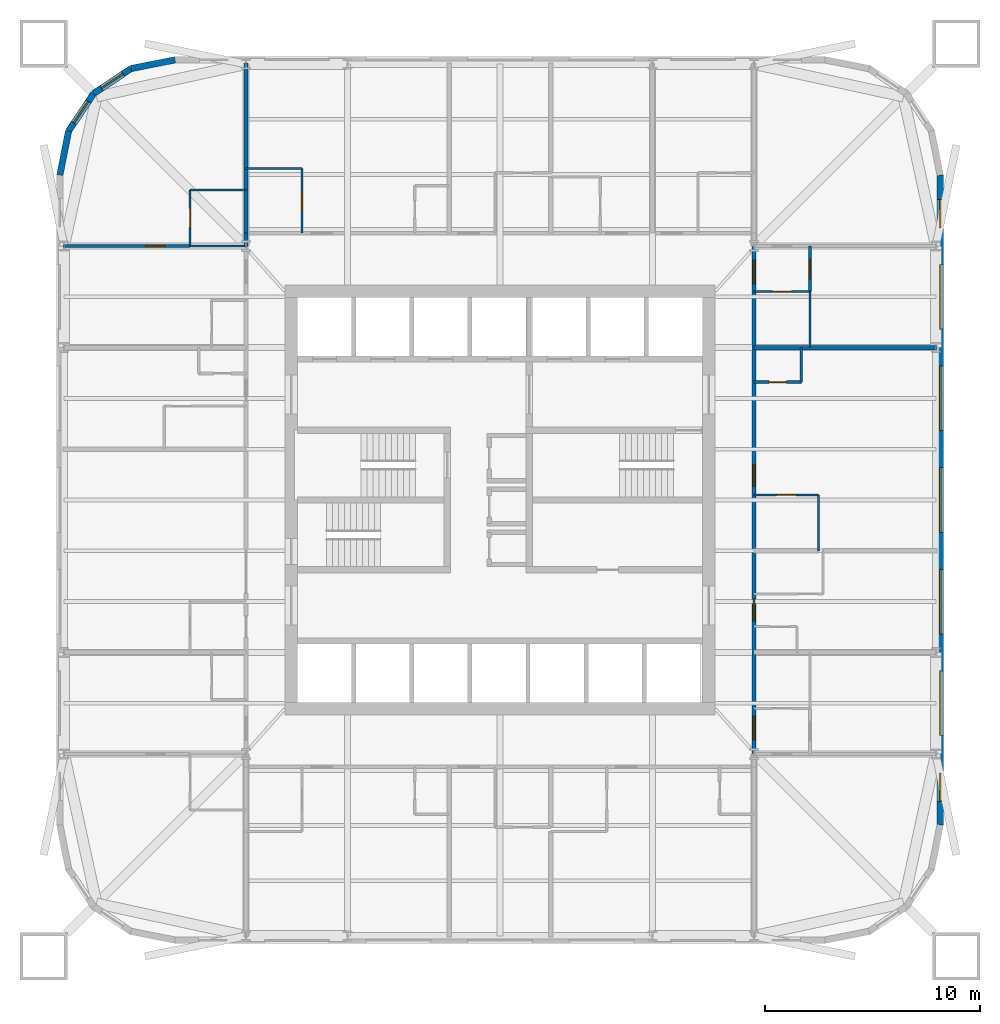
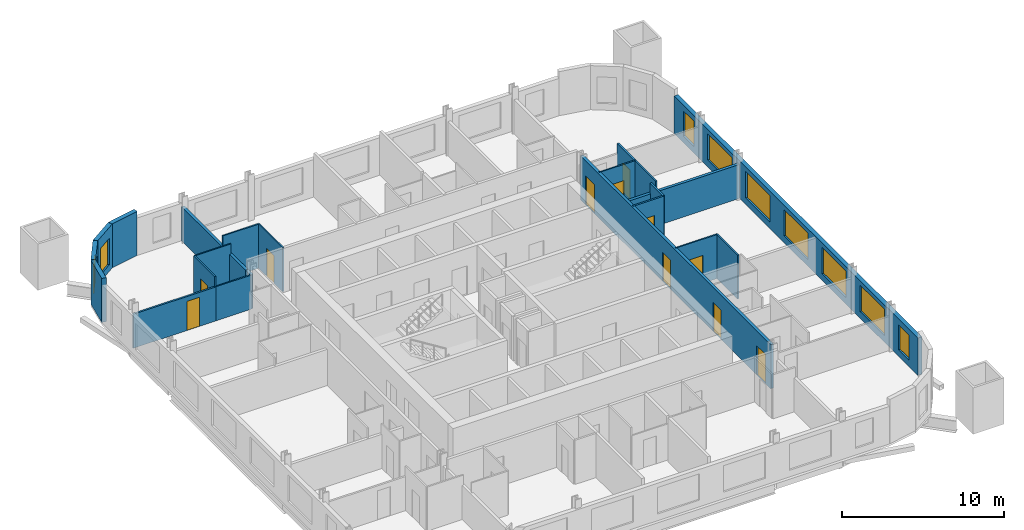
# One storey, part 6 of 9: 22 walls, 11 doors, 9 windows, 20 openings.
"""IFC4 building model written with IfcOpenShell, lengths in metres."""

import ifcopenshell
import ifcopenshell.guid

model = None  # the IFC model being written
_history = None  # IfcOwnerHistory: only IFC2X3 demands one
_inside = {}  # id of a spatial element -> (the spatial element, [elements in it])
_under = {}  # id of a project, library or spatial element -> (it, [spatial elements below it])
_declared = {}  # id of a project -> (the project, [libraries it declares])
_typed = {}  # id of a type object -> (the type object, [elements of that type])
_made_of = {}  # id of a material, layer set ... -> (it, [elements and type objects made of it])


def new_model(schema):
    """Start an empty IFC model of exactly this schema.

    Asked for "IFC4X3", IfcOpenShell would pick the latest addendum, in which some entities
    have other attributes; the version numbers below select the first issue.
    IFC2X3 requires an IfcOwnerHistory on every rooted entity: one is made here for all.
    """
    global model, _history
    if schema == "IFC4X3":
        model = ifcopenshell.file(schema_version=(4, 3, 0, 0))
    else:
        model = ifcopenshell.file(schema=schema)
    _inside.clear()
    _under.clear()
    _declared.clear()
    _typed.clear()
    _made_of.clear()
    _history = None
    if model.schema == "IFC2X3":
        org = make("IfcOrganization", Name="unknown")
        user = make(
            "IfcPersonAndOrganization",
            ThePerson=make("IfcPerson", FamilyName="unknown"),
            TheOrganization=org,
        )
        app = make(
            "IfcApplication",
            ApplicationDeveloper=org,
            Version="unknown",
            ApplicationFullName="unknown",
            ApplicationIdentifier="unknown",
        )
        _history = make(
            "IfcOwnerHistory",
            OwningUser=user,
            OwningApplication=app,
            ChangeAction="ADDED",
            CreationDate=0,
        )
    return model


def make(cls, **values):
    """One entity of the class cls with the attributes given. An attribute that is None is left unset."""
    return model.create_entity(
        cls, **{name: value for name, value in values.items() if value is not None}
    )


def rooted(cls, **values):
    """An entity with a GlobalId (a new one), such as an element, a storey or a relation."""
    return make(cls, GlobalId=ifcopenshell.guid.new(), OwnerHistory=_history, **values)


def si_unit(unit_type, name, prefix=None):
    """IfcSIUnit, for example si_unit("LENGTHUNIT", "METRE", prefix="MILLI")."""
    return make("IfcSIUnit", UnitType=unit_type, Prefix=prefix, Name=name)


def assignment(units):
    """IfcUnitAssignment: the units of a project."""
    return None if units is None else make("IfcUnitAssignment", Units=units)


def point(xyz):
    """IfcCartesianPoint."""
    return None if xyz is None else make("IfcCartesianPoint", Coordinates=xyz)


def direction(xyz):
    """IfcDirection."""
    return None if xyz is None else make("IfcDirection", DirectionRatios=xyz)


def frame(location, z_axis=None, x_axis=None):
    """IfcAxis2Placement3D, a coordinate frame: its origin and axes. An axis left out is left unset."""
    return make(
        "IfcAxis2Placement3D",
        Location=point(location),
        Axis=direction(z_axis),
        RefDirection=direction(x_axis),
    )


def frame_2d(location, x_axis=None):
    """IfcAxis2Placement2D, a coordinate frame in the plane: its origin and x axis."""
    return make(
        "IfcAxis2Placement2D", Location=point(location), RefDirection=direction(x_axis)
    )


def origin():
    """The frame at (0, 0, 0) with its axes left unset."""
    return frame((0.0, 0.0, 0.0))


def place(relative_to, where):
    """IfcLocalPlacement: puts the frame where relative to a parent placement (None: the world)."""
    return make(
        "IfcLocalPlacement", PlacementRelTo=relative_to, RelativePlacement=where
    )


def context(
    kind, dimensions, precision=None, world=None, true_north=None, identifier=None
):
    """IfcGeometricRepresentationContext, for example the 3D "Model" context."""
    return make(
        "IfcGeometricRepresentationContext",
        ContextIdentifier=identifier,
        ContextType=kind,
        CoordinateSpaceDimension=dimensions,
        Precision=precision,
        WorldCoordinateSystem=world,
        TrueNorth=true_north,
    )


def subcontext(parent, identifier, kind, view, scale=None):
    """IfcGeometricRepresentationSubContext, for example "Body" below "Model"."""
    return make(
        "IfcGeometricRepresentationSubContext",
        ContextIdentifier=identifier,
        ContextType=kind,
        ParentContext=parent,
        TargetScale=scale,
        TargetView=view,
    )


def project(units=None, contexts=None):
    """IfcProject with its units and contexts."""
    return rooted(
        "IfcProject",
        Name="project",
        RepresentationContexts=contexts,
        UnitsInContext=assignment(units),
    )


def spatial(cls, under=None, at=None, **own):
    """A site, building, storey or space (cls), placed at a placement, below another one or the project."""
    s = rooted(cls, ObjectPlacement=at, **own)
    if under is not None:
        _under.setdefault(under.id(), (under, []))[1].append(s)
    return s


def profile(cls, at=None, kind="AREA", **sizes):
    """A parametric profile (cls). Its sizes go by their IFC names, for example OverallWidth=200.0."""
    return make(cls, ProfileType=kind, Position=at, **sizes)


def rectangle(**sizes):
    """IfcRectangleProfileDef."""
    return profile("IfcRectangleProfileDef", **sizes)


def extrude(swept, where, along, depth):
    """IfcExtrudedAreaSolid: the profile swept, set in the frame where, extruded along a direction by depth."""
    return make(
        "IfcExtrudedAreaSolid",
        SweptArea=swept,
        Position=where,
        ExtrudedDirection=direction(along),
        Depth=depth,
    )


def shape(context_of_items, identifier, shape_type, items):
    """IfcShapeRepresentation: the items that make up one representation, for example the "Body"."""
    return make(
        "IfcShapeRepresentation",
        ContextOfItems=context_of_items,
        RepresentationIdentifier=identifier,
        RepresentationType=shape_type,
        Items=items,
    )


def material(Name=None, Category=None):
    """IfcMaterial."""
    return make("IfcMaterial", Name=Name, Category=Category)


def layer(
    of_material, thickness, ventilated=None, Name=None, Category=None, Priority=None
):
    """IfcMaterialLayer: one layer of a wall or slab, of a material (None: an air gap)."""
    return make(
        "IfcMaterialLayer",
        Material=of_material,
        LayerThickness=thickness,
        IsVentilated=ventilated,
        Name=Name,
        Category=Category,
        Priority=Priority,
    )


def layer_set(layers, Name=None):
    """IfcMaterialLayerSet."""
    return make("IfcMaterialLayerSet", MaterialLayers=layers, LayerSetName=Name)


def made_of(thing, what):
    """Note that an element or type object is made of a material, layer set ...; save() writes the relation."""
    if what is not None:
        _made_of.setdefault(what.id(), (what, []))[1].append(thing)
    return thing


def type_object(cls, material=None, **own):
    """A type object (cls), such as IfcWallType, which elements share."""
    return made_of(rooted(cls, **own), material)


def element(
    cls,
    number,
    at=None,
    inside=None,
    cuts=None,
    type_object=None,
    material=None,
    context=None,
    identifier="Body",
    shape_type=None,
    held_by="IfcProductDefinitionShape",
    body=None,
    shapes=None,
    **own,
):
    """One element of the class cls, such as IfcWall. Its Tag is "e" and its number.

    at: its placement. inside: the storey or other place that contains it. cuts: it is an
    opening in that element (IfcRelVoidsElement). A single representation is given by context,
    identifier, shape_type and body (its items); several are given by shapes. held_by: the class
    of the entity that holds the representations. save() writes the other relations.
    """
    e = rooted(cls, Tag="e%d" % number, ObjectPlacement=at, **own)
    if body is not None:
        shapes = [shape(context, identifier, shape_type, body)]
    if shapes is not None:
        e.Representation = make(held_by, Representations=shapes)
    if inside is not None:
        _inside.setdefault(inside.id(), (inside, []))[1].append(e)
    if cuts is not None:
        rooted(
            "IfcRelVoidsElement", RelatingBuildingElement=cuts, RelatedOpeningElement=e
        )
    if type_object is not None:
        _typed.setdefault(type_object.id(), (type_object, []))[1].append(e)
    return made_of(e, material)


def fill(opening, filler):
    """IfcRelFillsElement: the door or window that sits in an opening."""
    return rooted(
        "IfcRelFillsElement",
        RelatingOpeningElement=opening,
        RelatedBuildingElement=filler,
    )


def aggregate(whole, parts):
    """IfcRelAggregates: a whole, such as a stair, and the parts it consists of."""
    return rooted("IfcRelAggregates", RelatingObject=whole, RelatedObjects=parts)


def save(model, path):
    """Write the relations noted so far, then the file.

    IfcRelAggregates (storeys below a building ...), IfcRelContainedInSpatialStructure (elements
    in a storey), IfcRelDefinesByType, IfcRelAssociatesMaterial and IfcRelDeclares: one each for
    every whole, place, type object, material and project.
    """
    for whole, parts in _under.values():
        aggregate(whole, parts)
    for where, things in _inside.values():
        rooted(
            "IfcRelContainedInSpatialStructure",
            RelatedElements=things,
            RelatingStructure=where,
        )
    for kind, things in _typed.values():
        rooted("IfcRelDefinesByType", RelatedObjects=things, RelatingType=kind)
    for what, things in _made_of.values():
        rooted("IfcRelAssociatesMaterial", RelatedObjects=things, RelatingMaterial=what)
    for by, libraries in _declared.values():
        rooted("IfcRelDeclares", RelatingContext=by, RelatedDefinitions=libraries)
    model.write(path)


model = new_model("IFC4")

# Units and contexts
model_context = context("Model", 3, precision=1e-05, world=origin(), true_north=direction((0.0, 1.0)))
body_context = subcontext(model_context, "Body", "Model", "MODEL_VIEW")
ifc_project = project(units=[si_unit("LENGTHUNIT", "METRE"), si_unit("AREAUNIT", "SQUARE_METRE"), si_unit("VOLUMEUNIT", "CUBIC_METRE"), si_unit("PLANEANGLEUNIT", "RADIAN"), si_unit("MASSUNIT", "GRAM", prefix="KILO")], contexts=[model_context])

# Site, building, storey
site_placement = place(None, origin())
site = spatial("IfcSite", under=ifc_project, at=site_placement, CompositionType="ELEMENT")
building_placement = place(site_placement, origin())
building = spatial("IfcBuilding", under=site, at=building_placement, Name="Turquesa Mirador Hotel Tower", CompositionType="ELEMENT")
storey_placement = place(building_placement, frame((0.0, 0.0, 100.39990234375)))
storey = spatial("IfcBuildingStorey", under=building, at=storey_placement, Name="L26", CompositionType="ELEMENT", Elevation=100.39990234375)

# Wall, opening, door
ifc_material_1 = material(Name="Gypsum board on steel studs", Category="steel")
ifc_layer_1 = layer(ifc_material_1, 0.10009765625)
ifc_layer_set_1 = layer_set([ifc_layer_1], Name="BATHROOM WALL 100")
wall_type_1 = type_object("IfcWallType", Name="BATHROOM WALL 100", PredefinedType="PARTITIONING", material=ifc_layer_set_1)
wall_1_placement = place(storey_placement, frame((66.800048828125, 45.239990234375, 0.0), z_axis=(0.0, 0.0, 1.0), x_axis=(1.0, 0.0, 0.0)))
wall_1 = element("IfcWall", 1, at=wall_1_placement, inside=storey, type_object=wall_type_1, Name="Partition L26 020", PredefinedType="PARTITIONING", context=body_context, shape_type="SweptSolid", body=[
    extrude(rectangle(XDim=3.0, YDim=0.10009765625, at=frame_2d((1.5, 0.0))), origin(), (0.0, 0.0, 1.0), 3.330078125),
])
opening_1_placement = place(wall_1_placement, frame((1.050048828125, 0.0, 0.0)))
opening_1 = element("IfcOpeningElement", 2, at=opening_1_placement, cuts=wall_1, Name="Opening D02", PredefinedType="OPENING", context=body_context, shape_type="SweptSolid", body=[
    extrude(rectangle(XDim=0.89990234375, YDim=2.10009765625, at=frame_2d((0.449951171875, 1.050048828125))), frame((0.0, 0.06005859375, 0.0), z_axis=(0.0, -1.0, 0.0), x_axis=(1.0, 0.0, 0.0)), (0.0, 0.0, 1.0), 0.1201171875),
])
ifc_material_2 = material(Name="Timber veneered door", Category="wood")
door_type_1 = type_object("IfcDoorType", Name="DOOR 900X2100 EN-SUITE", OperationType="SINGLE_SWING_RIGHT", PredefinedType="DOOR", material=ifc_material_2)
door_1_placement = place(opening_1_placement, origin())
door_1 = element("IfcDoor", 3, at=door_1_placement, inside=storey, type_object=door_type_1, Name="Door 2609B", OperationType="SINGLE_SWING_RIGHT", OverallHeight=2.10009765625, OverallWidth=0.89990234375, PredefinedType="DOOR", context=body_context, shape_type="SweptSolid", body=[
    extrude(rectangle(XDim=0.89990234375, YDim=2.10009765625, at=frame_2d((0.449951171875, 1.050048828125))), frame((0.0, 0.02490234375, 0.0), z_axis=(0.0, -1.0, 0.0), x_axis=(1.0, 0.0, 0.0)), (0.0, 0.0, 1.0), 0.050048828125),
])
fill(opening_1, door_1)

# Walls
wall_2_placement = place(storey_placement, frame((40.60009765625, 56.800048828125, 0.0), z_axis=(0.0, 0.0, 1.0), x_axis=(1.0, 0.0, 0.0)))
element("IfcWall", 4, at=wall_2_placement, inside=storey, type_object=wall_type_1, Name="Partition L26 021", PredefinedType="PARTITIONING", context=body_context, shape_type="SweptSolid", body=[
    extrude(rectangle(XDim=2.599853515625, YDim=0.10009765625, at=frame_2d((1.2998046875, 0.0))), origin(), (0.0, 0.0, 1.0), 2.5732421875),
])
wall_3_placement = place(storey_placement, frame((40.60009765625, 59.39990234375, 0.0), z_axis=(0.0, 0.0, 1.0), x_axis=(1.0, 0.0, 0.0)))
element("IfcWall", 5, at=wall_3_placement, inside=storey, type_object=wall_type_1, Name="Partition L26 025", PredefinedType="PARTITIONING", context=body_context, shape_type="SweptSolid", body=[
    extrude(rectangle(XDim=2.599853515625, YDim=0.10009765625, at=frame_2d((1.2998046875, 0.0))), origin(), (0.0, 0.0, 1.0), 3.330078125),
])
wall_4_placement = place(storey_placement, frame((43.199951171875, 60.39990234375, 0.0), z_axis=(0.0, 0.0, 1.0), x_axis=(1.0, 0.0, 0.0)))
element("IfcWall", 6, at=wall_4_placement, inside=storey, type_object=wall_type_1, Name="Partition L26 030", PredefinedType="PARTITIONING", context=body_context, shape_type="SweptSolid", body=[
    extrude(rectangle(XDim=2.60009765625, YDim=0.10009765625, at=frame_2d((1.300048828125, 0.0))), origin(), (0.0, 0.0, 1.0), 3.330078125),
])

# Wall, opening, door
wall_5_placement = place(storey_placement, frame((66.800048828125, 54.679931640625, 0.0), z_axis=(0.0, 0.0, 1.0), x_axis=(1.0, 0.0, 0.0)))
wall_5 = element("IfcWall", 7, at=wall_5_placement, inside=storey, type_object=wall_type_1, Name="Partition L26 038", PredefinedType="PARTITIONING", context=body_context, shape_type="SweptSolid", body=[
    extrude(rectangle(XDim=2.599853515625, YDim=0.10009765625, at=frame_2d((1.2998046875, 0.0))), origin(), (0.0, 0.0, 1.0), 3.330078125),
])
opening_2_placement = place(wall_5_placement, frame((0.85009765625, 0.0, 0.0)))
opening_2 = element("IfcOpeningElement", 8, at=opening_2_placement, cuts=wall_5, Name="Opening D02", PredefinedType="OPENING", context=body_context, shape_type="SweptSolid", body=[
    extrude(rectangle(XDim=0.89990234375, YDim=2.10009765625, at=frame_2d((0.449951171875, 1.050048828125))), frame((0.0, 0.06005859375, 0.0), z_axis=(0.0, -1.0, 0.0), x_axis=(1.0, 0.0, 0.0)), (0.0, 0.0, 1.0), 0.1201171875),
])
door_2_placement = place(opening_2_placement, origin())
door_2 = element("IfcDoor", 9, at=door_2_placement, inside=storey, type_object=door_type_1, Name="Door 2611B", OperationType="SINGLE_SWING_RIGHT", OverallHeight=2.10009765625, OverallWidth=0.89990234375, PredefinedType="DOOR", context=body_context, shape_type="SweptSolid", body=[
    extrude(rectangle(XDim=0.89990234375, YDim=2.10009765625, at=frame_2d((0.449951171875, 1.050048828125))), frame((0.0, 0.02490234375, 0.0), z_axis=(0.0, -1.0, 0.0), x_axis=(1.0, 0.0, 0.0)), (0.0, 0.0, 1.0), 0.050048828125),
])
fill(opening_2, door_2)

wall_6_placement = place(storey_placement, frame((40.60009765625, 56.800048828125, 0.0), z_axis=(0.0, 0.0, 1.0), x_axis=(0.0, 1.0, 0.0)))
wall_6 = element("IfcWall", 10, at=wall_6_placement, inside=storey, type_object=wall_type_1, Name="Partition L26 049", PredefinedType="PARTITIONING", context=body_context, shape_type="SweptSolid", body=[
    extrude(rectangle(XDim=2.599853515625, YDim=0.10009765625, at=frame_2d((1.2998046875, 0.0))), origin(), (0.0, 0.0, 1.0), 3.330078125),
])
opening_3_placement = place(wall_6_placement, frame((0.85009765625, 0.0, 0.0)))
opening_3 = element("IfcOpeningElement", 11, at=opening_3_placement, cuts=wall_6, Name="Opening D02", PredefinedType="OPENING", context=body_context, shape_type="SweptSolid", body=[
    extrude(rectangle(XDim=0.89990234375, YDim=2.10009765625, at=frame_2d((0.449951171875, 1.050048828125))), frame((0.0, 0.06005859375, 0.0), z_axis=(0.0, -1.0, 0.0), x_axis=(1.0, 0.0, 0.0)), (0.0, 0.0, 1.0), 0.1201171875),
])
door_3_placement = place(opening_3_placement, origin())
door_3 = element("IfcDoor", 12, at=door_3_placement, inside=storey, type_object=door_type_1, Name="Door 2612B", OperationType="SINGLE_SWING_RIGHT", OverallHeight=2.10009765625, OverallWidth=0.89990234375, PredefinedType="DOOR", context=body_context, shape_type="SweptSolid", body=[
    extrude(rectangle(XDim=0.89990234375, YDim=2.10009765625, at=frame_2d((0.449951171875, 1.050048828125))), frame((0.0, 0.02490234375, 0.0), z_axis=(0.0, -1.0, 0.0), x_axis=(1.0, 0.0, 0.0)), (0.0, 0.0, 1.0), 0.050048828125),
])
fill(opening_3, door_3)

wall_7_placement = place(storey_placement, frame((45.800048828125, 57.39990234375, 0.0), z_axis=(0.0, 0.0, 1.0), x_axis=(0.0, 1.0, 0.0)))
wall_7 = element("IfcWall", 13, at=wall_7_placement, inside=storey, type_object=wall_type_1, Name="Partition L26 056", PredefinedType="PARTITIONING", context=body_context, shape_type="SweptSolid", body=[
    extrude(rectangle(XDim=3.0, YDim=0.10009765625, at=frame_2d((1.5, 0.0))), origin(), (0.0, 0.0, 1.0), 3.330078125),
])
opening_4_placement = place(wall_7_placement, frame((1.050048828125, 0.0, 0.0)))
opening_4 = element("IfcOpeningElement", 14, at=opening_4_placement, cuts=wall_7, Name="Opening D02", PredefinedType="OPENING", context=body_context, shape_type="SweptSolid", body=[
    extrude(rectangle(XDim=0.89990234375, YDim=2.10009765625, at=frame_2d((0.449951171875, 1.050048828125))), frame((0.0, 0.06005859375, 0.0), z_axis=(0.0, -1.0, 0.0), x_axis=(1.0, 0.0, 0.0)), (0.0, 0.0, 1.0), 0.1201171875),
])
door_4_placement = place(opening_4_placement, origin())
door_4 = element("IfcDoor", 15, at=door_4_placement, inside=storey, type_object=door_type_1, Name="Door 2601B", OperationType="SINGLE_SWING_RIGHT", OverallHeight=2.10009765625, OverallWidth=0.89990234375, PredefinedType="DOOR", context=body_context, shape_type="SweptSolid", body=[
    extrude(rectangle(XDim=0.89990234375, YDim=2.10009765625, at=frame_2d((0.449951171875, 1.050048828125))), frame((0.0, 0.02490234375, 0.0), z_axis=(0.0, -1.0, 0.0), x_axis=(1.0, 0.0, 0.0)), (0.0, 0.0, 1.0), 0.050048828125),
])
fill(opening_4, door_4)

# Walls
wall_8_placement = place(storey_placement, frame((69.39990234375, 52.080078125, 0.0), z_axis=(0.0, 0.0, 1.0), x_axis=(0.0, 1.0, 0.0)))
element("IfcWall", 16, at=wall_8_placement, inside=storey, type_object=wall_type_1, Name="Partition L26 064", PredefinedType="PARTITIONING", context=body_context, shape_type="SweptSolid", body=[
    extrude(rectangle(XDim=2.599853515625, YDim=0.10009765625, at=frame_2d((1.2998046875, 0.0))), origin(), (0.0, 0.0, 1.0), 3.330078125),
])
wall_9_placement = place(storey_placement, frame((69.800048828125, 42.639892578125, 0.0), z_axis=(0.0, 0.0, 1.0), x_axis=(0.0, 1.0, 0.0)))
element("IfcWall", 17, at=wall_9_placement, inside=storey, type_object=wall_type_1, Name="Partition L26 067", PredefinedType="PARTITIONING", context=body_context, shape_type="SweptSolid", body=[
    extrude(rectangle(XDim=2.60009765625, YDim=0.10009765625, at=frame_2d((1.300048828125, 0.0))), origin(), (0.0, 0.0, 1.0), 3.330078125),
])

# Wall, openings, doors
ifc_material_3 = material(Name="Fire-rated gypsum board on steel studs", Category="steel")
ifc_layer_2 = layer(ifc_material_3, 0.199951171875)
ifc_layer_set_2 = layer_set([ifc_layer_2], Name="CORRIDOR WALL 200")
wall_type_2 = type_object("IfcWallType", Name="CORRIDOR WALL 200", PredefinedType="PARTITIONING", material=ifc_layer_set_2)
wall_10_placement = place(storey_placement, frame((66.800048828125, 33.219970703125, 0.0), z_axis=(0.0, 0.0, 1.0), x_axis=(0.0, 1.0, 0.0)))
wall_10 = element("IfcWall", 18, at=wall_10_placement, inside=storey, type_object=wall_type_2, Name="Partition L26 058", PredefinedType="PARTITIONING", context=body_context, shape_type="SweptSolid", body=[
    extrude(rectangle(XDim=23.56005859375, YDim=0.199951171875, at=frame_2d((11.780029296875, 0.0))), origin(), (0.0, 0.0, 1.0), 3.330078125),
])
opening_5_placement = place(wall_10_placement, frame((6.159912109375, 0.0, 0.0)))
opening_5 = element("IfcOpeningElement", 19, at=opening_5_placement, cuts=wall_10, Name="Opening D01", PredefinedType="OPENING", context=body_context, shape_type="SweptSolid", body=[
    extrude(rectangle(XDim=1.0, YDim=2.199951171875, at=frame_2d((0.5, 1.10009765625))), frame((0.0, 0.10986328125, 0.0), z_axis=(0.0, -1.0, 0.0), x_axis=(1.0, 0.0, 0.0)), (0.0, 0.0, 1.0), 0.219970703125),
])
opening_6_placement = place(wall_10_placement, frame((12.419921875, 0.0, 0.0)))
opening_6 = element("IfcOpeningElement", 20, at=opening_6_placement, cuts=wall_10, Name="Opening D01", PredefinedType="OPENING", context=body_context, shape_type="SweptSolid", body=[
    extrude(rectangle(XDim=1.0, YDim=2.199951171875, at=frame_2d((0.5, 1.10009765625))), frame((0.0, 0.10986328125, 0.0), z_axis=(0.0, -1.0, 0.0), x_axis=(1.0, 0.0, 0.0)), (0.0, 0.0, 1.0), 0.219970703125),
])
opening_7_placement = place(wall_10_placement, frame((21.820068359375, 0.0, 0.0)))
opening_7 = element("IfcOpeningElement", 21, at=opening_7_placement, cuts=wall_10, Name="Opening D15", PredefinedType="OPENING", context=body_context, shape_type="SweptSolid", body=[
    extrude(rectangle(XDim=1.10009765625, YDim=2.199951171875, at=frame_2d((0.550048828125, 1.10009765625))), frame((0.0, 0.10986328125, 0.0), z_axis=(0.0, -1.0, 0.0), x_axis=(1.0, 0.0, 0.0)), (0.0, 0.0, 1.0), 0.219970703125),
])
opening_8_placement = place(wall_10_placement, frame((0.639892578125, 0.0, 0.0)))
opening_8 = element("IfcOpeningElement", 22, at=opening_8_placement, cuts=wall_10, Name="Opening D15", PredefinedType="OPENING", context=body_context, shape_type="SweptSolid", body=[
    extrude(rectangle(XDim=1.10009765625, YDim=2.199951171875, at=frame_2d((0.550048828125, 1.10009765625))), frame((0.0, 0.10986328125, 0.0), z_axis=(0.0, -1.0, 0.0), x_axis=(1.0, 0.0, 0.0)), (0.0, 0.0, 1.0), 0.219970703125),
])
ifc_material_4 = material(Name="Timber veneered fire door", Category="wood")
door_type_2 = type_object("IfcDoorType", Name="DOOR 1000X2200 GUEST ENTRY", OperationType="SINGLE_SWING_LEFT", PredefinedType="DOOR", material=ifc_material_4)
door_5_placement = place(opening_5_placement, origin())
door_5 = element("IfcDoor", 23, at=door_5_placement, inside=storey, type_object=door_type_2, Name="Door 2608", OperationType="SINGLE_SWING_LEFT", OverallHeight=2.199951171875, OverallWidth=1.0, PredefinedType="DOOR", context=body_context, shape_type="SweptSolid", body=[
    extrude(rectangle(XDim=1.0, YDim=2.199951171875, at=frame_2d((0.5, 1.10009765625))), frame((0.0, 0.02490234375, 0.0), z_axis=(0.0, -1.0, 0.0), x_axis=(1.0, 0.0, 0.0)), (0.0, 0.0, 1.0), 0.050048828125),
])
fill(opening_5, door_5)
door_6_placement = place(opening_6_placement, origin())
door_6 = element("IfcDoor", 24, at=door_6_placement, inside=storey, type_object=door_type_2, Name="Door 2609", OperationType="SINGLE_SWING_LEFT", OverallHeight=2.199951171875, OverallWidth=1.0, PredefinedType="DOOR", context=body_context, shape_type="SweptSolid", body=[
    extrude(rectangle(XDim=1.0, YDim=2.199951171875, at=frame_2d((0.5, 1.10009765625))), frame((0.0, 0.02490234375, 0.0), z_axis=(0.0, -1.0, 0.0), x_axis=(1.0, 0.0, 0.0)), (0.0, 0.0, 1.0), 0.050048828125),
])
fill(opening_6, door_6)
ifc_material_5 = material(Name="Timber veneered fire door", Category="wood")
door_type_3 = type_object("IfcDoorType", Name="DOOR 1100X2200 SUITE ENTRY", OperationType="SINGLE_SWING_LEFT", PredefinedType="DOOR", material=ifc_material_5)
door_7_placement = place(opening_7_placement, origin())
door_7 = element("IfcDoor", 25, at=door_7_placement, inside=storey, type_object=door_type_3, Name="Door 2611H", OperationType="SINGLE_SWING_LEFT", OverallHeight=2.199951171875, OverallWidth=1.10009765625, PredefinedType="DOOR", context=body_context, shape_type="SweptSolid", body=[
    extrude(rectangle(XDim=1.10009765625, YDim=2.199951171875, at=frame_2d((0.550048828125, 1.10009765625))), frame((0.0, 0.02490234375, 0.0), z_axis=(0.0, -1.0, 0.0), x_axis=(1.0, 0.0, 0.0)), (0.0, 0.0, 1.0), 0.050048828125),
])
fill(opening_7, door_7)
door_8_placement = place(opening_8_placement, origin())
door_8 = element("IfcDoor", 26, at=door_8_placement, inside=storey, type_object=door_type_3, Name="Door 2614H", OperationType="SINGLE_SWING_LEFT", OverallHeight=2.199951171875, OverallWidth=1.10009765625, PredefinedType="DOOR", context=body_context, shape_type="SweptSolid", body=[
    extrude(rectangle(XDim=1.10009765625, YDim=2.199951171875, at=frame_2d((0.550048828125, 1.10009765625))), frame((0.0, 0.02490234375, 0.0), z_axis=(0.0, -1.0, 0.0), x_axis=(1.0, 0.0, 0.0)), (0.0, 0.0, 1.0), 0.050048828125),
])
fill(opening_8, door_8)

# Wall
wall_11_placement = place(storey_placement, frame((43.199951171875, 56.780029296875, 0.0), z_axis=(0.0, 0.0, 1.0), x_axis=(0.0, 1.0, 0.0)))
element("IfcWall", 27, at=wall_11_placement, inside=storey, type_object=wall_type_2, Name="Partition L26 078", PredefinedType="PARTITIONING", context=body_context, shape_type="SweptSolid", body=[
    extrude(rectangle(XDim=0.619873046875, YDim=0.199951171875, at=frame_2d((0.31005859375, 0.0))), origin(), (0.0, 0.0, 1.0), 2.5732421875),
])

# Wall, openings, windows
ifc_material_6 = material(Name="Limestone cladding on concrete block", Category="masonry")
ifc_layer_3 = layer(ifc_material_6, 0.300048828125)
ifc_layer_set_3 = layer_set([ifc_layer_3], Name="FACADE WALL 300 STONE SCREEN")
wall_type_3 = type_object("IfcWallType", Name="FACADE WALL 300 STONE SCREEN", PredefinedType="SOLIDWALL", material=ifc_layer_set_3)
wall_12_placement = place(storey_placement, frame((75.449951171875, 29.89990234375, 0.0), z_axis=(0.0, 0.0, 1.0), x_axis=(0.0, 1.0, 0.0)))
wall_12 = element("IfcWall", 28, at=wall_12_placement, inside=storey, type_object=wall_type_3, Name="Facade wall L26 04", PredefinedType="SOLIDWALL", context=body_context, shape_type="SweptSolid", body=[
    extrude(rectangle(XDim=30.2001953125, YDim=0.300048828125, at=frame_2d((15.10009765625, 0.0))), origin(), (0.0, 0.0, 1.0), 2.830078125),
])
opening_9_placement = place(wall_12_placement, frame((1.10009765625, 0.0, 0.5)))
opening_9 = element("IfcOpeningElement", 29, at=opening_9_placement, cuts=wall_12, Name="Opening WN27", PredefinedType="OPENING", context=body_context, shape_type="SweptSolid", body=[
    extrude(rectangle(XDim=1.300048828125, YDim=1.89990234375, at=frame_2d((0.64990234375, 0.949951171875))), frame((0.0, 0.159912109375, 0.0), z_axis=(0.0, -1.0, 0.0), x_axis=(1.0, 0.0, 0.0)), (0.0, 0.0, 1.0), 0.320068359375),
])
opening_10_placement = place(wall_12_placement, frame((4.159912109375, 0.0, 0.5)))
opening_10 = element("IfcOpeningElement", 30, at=opening_10_placement, cuts=wall_12, Name="Opening WN1", PredefinedType="OPENING", context=body_context, shape_type="SweptSolid", body=[
    extrude(rectangle(XDim=3.0, YDim=2.0, at=frame_2d((1.5, 1.0))), frame((0.0, 0.159912109375, 0.0), z_axis=(0.0, -1.0, 0.0), x_axis=(1.0, 0.0, 0.0)), (0.0, 0.0, 1.0), 0.320068359375),
])
opening_11_placement = place(wall_12_placement, frame((8.8798828125, 0.0, 0.5)))
opening_11 = element("IfcOpeningElement", 31, at=opening_11_placement, cuts=wall_12, Name="Opening WN1", PredefinedType="OPENING", context=body_context, shape_type="SweptSolid", body=[
    extrude(rectangle(XDim=3.0, YDim=2.0, at=frame_2d((1.5, 1.0))), frame((0.0, 0.159912109375, 0.0), z_axis=(0.0, -1.0, 0.0), x_axis=(1.0, 0.0, 0.0)), (0.0, 0.0, 1.0), 0.320068359375),
])
opening_12_placement = place(wall_12_placement, frame((13.60009765625, 0.0, 0.5)))
opening_12 = element("IfcOpeningElement", 32, at=opening_12_placement, cuts=wall_12, Name="Opening WN1", PredefinedType="OPENING", context=body_context, shape_type="SweptSolid", body=[
    extrude(rectangle(XDim=3.0, YDim=2.0, at=frame_2d((1.5, 1.0))), frame((0.0, 0.159912109375, 0.0), z_axis=(0.0, -1.0, 0.0), x_axis=(1.0, 0.0, 0.0)), (0.0, 0.0, 1.0), 0.320068359375),
])
opening_13_placement = place(wall_12_placement, frame((18.320068359375, 0.0, 0.5)))
opening_13 = element("IfcOpeningElement", 33, at=opening_13_placement, cuts=wall_12, Name="Opening WN1", PredefinedType="OPENING", context=body_context, shape_type="SweptSolid", body=[
    extrude(rectangle(XDim=3.0, YDim=2.0, at=frame_2d((1.5, 1.0))), frame((0.0, 0.159912109375, 0.0), z_axis=(0.0, -1.0, 0.0), x_axis=(1.0, 0.0, 0.0)), (0.0, 0.0, 1.0), 0.320068359375),
])
opening_14_placement = place(wall_12_placement, frame((23.0400390625, 0.0, 0.5)))
opening_14 = element("IfcOpeningElement", 34, at=opening_14_placement, cuts=wall_12, Name="Opening WN1", PredefinedType="OPENING", context=body_context, shape_type="SweptSolid", body=[
    extrude(rectangle(XDim=3.0, YDim=2.0, at=frame_2d((1.5, 1.0))), frame((0.0, 0.159912109375, 0.0), z_axis=(0.0, -1.0, 0.0), x_axis=(1.0, 0.0, 0.0)), (0.0, 0.0, 1.0), 0.320068359375),
])
opening_15_placement = place(wall_12_placement, frame((27.75, 0.0, 0.5)))
opening_15 = element("IfcOpeningElement", 35, at=opening_15_placement, cuts=wall_12, Name="Opening WN27", PredefinedType="OPENING", context=body_context, shape_type="SweptSolid", body=[
    extrude(rectangle(XDim=1.300048828125, YDim=1.89990234375, at=frame_2d((0.64990234375, 0.949951171875))), frame((0.0, 0.159912109375, 0.0), z_axis=(0.0, -1.0, 0.0), x_axis=(1.0, 0.0, 0.0)), (0.0, 0.0, 1.0), 0.320068359375),
])
ifc_material_7 = material(Name="Ceramic-fritted laminated glass", Category="glass")
window_type_1 = type_object("IfcWindowType", Name="FRITTED WINDOW 1300X1900", PartitioningType="DOUBLE_PANEL_HORIZONTAL", PredefinedType="WINDOW", material=ifc_material_7)
window_1_placement = place(opening_9_placement, origin())
window_1 = element("IfcWindow", 36, at=window_1_placement, inside=storey, type_object=window_type_1, Name="Window L26", OverallHeight=1.89990234375, OverallWidth=1.300048828125, PartitioningType="SINGLE_PANEL", PredefinedType="WINDOW", context=body_context, shape_type="SweptSolid", body=[
    extrude(rectangle(XDim=1.300048828125, YDim=1.89990234375, at=frame_2d((0.64990234375, 0.949951171875))), frame((0.0, 0.030029296875, 0.0), z_axis=(0.0, -1.0, 0.0), x_axis=(1.0, 0.0, 0.0)), (0.0, 0.0, 1.0), 0.06005859375),
])
fill(opening_9, window_1)
window_2_placement = place(opening_15_placement, origin())
window_2 = element("IfcWindow", 37, at=window_2_placement, inside=storey, type_object=window_type_1, Name="Window L26", OverallHeight=1.89990234375, OverallWidth=1.300048828125, PartitioningType="SINGLE_PANEL", PredefinedType="WINDOW", context=body_context, shape_type="SweptSolid", body=[
    extrude(rectangle(XDim=1.300048828125, YDim=1.89990234375, at=frame_2d((0.64990234375, 0.949951171875))), frame((0.0, 0.030029296875, 0.0), z_axis=(0.0, -1.0, 0.0), x_axis=(1.0, 0.0, 0.0)), (0.0, 0.0, 1.0), 0.06005859375),
])
fill(opening_15, window_2)
ifc_material_8 = material(Name="Ceramic-fritted laminated glass", Category="glass")
window_type_2 = type_object("IfcWindowType", Name="FRITTED WINDOW 3000X2000", PartitioningType="DOUBLE_PANEL_HORIZONTAL", PredefinedType="WINDOW", material=ifc_material_8)
window_3_placement = place(opening_10_placement, origin())
window_3 = element("IfcWindow", 38, at=window_3_placement, inside=storey, type_object=window_type_2, Name="Window L26", OverallHeight=2.0, OverallWidth=3.0, PartitioningType="SINGLE_PANEL", PredefinedType="WINDOW", context=body_context, shape_type="SweptSolid", body=[
    extrude(rectangle(XDim=3.0, YDim=2.0, at=frame_2d((1.5, 1.0))), frame((0.0, 0.030029296875, 0.0), z_axis=(0.0, -1.0, 0.0), x_axis=(1.0, 0.0, 0.0)), (0.0, 0.0, 1.0), 0.06005859375),
])
fill(opening_10, window_3)
window_4_placement = place(opening_11_placement, origin())
window_4 = element("IfcWindow", 39, at=window_4_placement, inside=storey, type_object=window_type_2, Name="Window L26", OverallHeight=2.0, OverallWidth=3.0, PartitioningType="SINGLE_PANEL", PredefinedType="WINDOW", context=body_context, shape_type="SweptSolid", body=[
    extrude(rectangle(XDim=3.0, YDim=2.0, at=frame_2d((1.5, 1.0))), frame((0.0, 0.030029296875, 0.0), z_axis=(0.0, -1.0, 0.0), x_axis=(1.0, 0.0, 0.0)), (0.0, 0.0, 1.0), 0.06005859375),
])
fill(opening_11, window_4)
window_5_placement = place(opening_12_placement, origin())
window_5 = element("IfcWindow", 40, at=window_5_placement, inside=storey, type_object=window_type_2, Name="Window L26", OverallHeight=2.0, OverallWidth=3.0, PartitioningType="SINGLE_PANEL", PredefinedType="WINDOW", context=body_context, shape_type="SweptSolid", body=[
    extrude(rectangle(XDim=3.0, YDim=2.0, at=frame_2d((1.5, 1.0))), frame((0.0, 0.030029296875, 0.0), z_axis=(0.0, -1.0, 0.0), x_axis=(1.0, 0.0, 0.0)), (0.0, 0.0, 1.0), 0.06005859375),
])
fill(opening_12, window_5)
window_6_placement = place(opening_13_placement, origin())
window_6 = element("IfcWindow", 41, at=window_6_placement, inside=storey, type_object=window_type_2, Name="Window L26", OverallHeight=2.0, OverallWidth=3.0, PartitioningType="SINGLE_PANEL", PredefinedType="WINDOW", context=body_context, shape_type="SweptSolid", body=[
    extrude(rectangle(XDim=3.0, YDim=2.0, at=frame_2d((1.5, 1.0))), frame((0.0, 0.030029296875, 0.0), z_axis=(0.0, -1.0, 0.0), x_axis=(1.0, 0.0, 0.0)), (0.0, 0.0, 1.0), 0.06005859375),
])
fill(opening_13, window_6)
window_7_placement = place(opening_14_placement, origin())
window_7 = element("IfcWindow", 42, at=window_7_placement, inside=storey, type_object=window_type_2, Name="Window L26", OverallHeight=2.0, OverallWidth=3.0, PartitioningType="SINGLE_PANEL", PredefinedType="WINDOW", context=body_context, shape_type="SweptSolid", body=[
    extrude(rectangle(XDim=3.0, YDim=2.0, at=frame_2d((1.5, 1.0))), frame((0.0, 0.030029296875, 0.0), z_axis=(0.0, -1.0, 0.0), x_axis=(1.0, 0.0, 0.0)), (0.0, 0.0, 1.0), 0.06005859375),
])
fill(opening_14, window_7)

# Wall
wall_13_placement = place(storey_placement, frame((39.89990234375, 65.449951171875, 0.0), z_axis=(0.0, 0.0, 1.0), x_axis=(-0.980787050784, -0.195081421501, 0.0)))
element("IfcWall", 43, at=wall_13_placement, inside=storey, type_object=wall_type_3, Name="Facade wall L26 10", PredefinedType="SOLIDWALL", context=body_context, shape_type="SweptSolid", body=[
    extrude(rectangle(XDim=2.08740234375, YDim=0.300048828125, at=frame_2d((1.043701171875, 0.0))), origin(), (0.0, 0.0, 1.0), 3.330078125),
])

# Wall, opening, window
wall_14_placement = place(storey_placement, frame((37.8525390625, 65.042724609375, 0.0), z_axis=(0.0, 0.0, 1.0), x_axis=(-0.831474039234, -0.555563607591, 0.0)))
wall_14 = element("IfcWall", 44, at=wall_14_placement, inside=storey, type_object=wall_type_3, Name="Facade wall L26 11", PredefinedType="SOLIDWALL", context=body_context, shape_type="SweptSolid", body=[
    extrude(rectangle(XDim=2.08740234375, YDim=0.300048828125, at=frame_2d((1.043701171875, 0.0))), origin(), (0.0, 0.0, 1.0), 3.330078125),
])
opening_16_placement = place(wall_14_placement, frame((0.443603515625, 0.0, 0.5)))
opening_16 = element("IfcOpeningElement", 45, at=opening_16_placement, cuts=wall_14, Name="Opening WN4", PredefinedType="OPENING", context=body_context, shape_type="SweptSolid", body=[
    extrude(rectangle(XDim=1.199951171875, YDim=2.0, at=frame_2d((0.60009765625, 1.0))), frame((0.0, 0.159912109375, 0.0), z_axis=(0.0, -1.0, 0.0), x_axis=(1.0, 0.0, 0.0)), (0.0, 0.0, 1.0), 0.320068359375),
])
ifc_material_9 = material(Name="Ceramic-fritted laminated glass", Category="glass")
window_type_3 = type_object("IfcWindowType", Name="FRITTED CORNER WINDOW 1200X2000", PartitioningType="DOUBLE_PANEL_HORIZONTAL", PredefinedType="WINDOW", material=ifc_material_9)
window_8_placement = place(opening_16_placement, origin())
window_8 = element("IfcWindow", 46, at=window_8_placement, inside=storey, type_object=window_type_3, Name="Window L26", OverallHeight=2.0, OverallWidth=1.199951171875, PartitioningType="SINGLE_PANEL", PredefinedType="WINDOW", context=body_context, shape_type="SweptSolid", body=[
    extrude(rectangle(XDim=1.199951171875, YDim=2.0, at=frame_2d((0.60009765625, 1.0))), frame((0.0, 0.030029296875, 0.0), z_axis=(0.0, -1.0, 0.0), x_axis=(1.0, 0.0, 0.0)), (0.0, 0.0, 1.0), 0.06005859375),
])
fill(opening_16, window_8)

wall_15_placement = place(storey_placement, frame((36.116943359375, 63.883056640625, 0.0), z_axis=(0.0, 0.0, 1.0), x_axis=(-0.555563607591, -0.831474039234, 0.0)))
wall_15 = element("IfcWall", 47, at=wall_15_placement, inside=storey, type_object=wall_type_3, Name="Facade wall L26 12", PredefinedType="SOLIDWALL", context=body_context, shape_type="SweptSolid", body=[
    extrude(rectangle(XDim=2.08740234375, YDim=0.300048828125, at=frame_2d((1.043701171875, 0.0))), origin(), (0.0, 0.0, 1.0), 3.330078125),
])
opening_17_placement = place(wall_15_placement, frame((0.443603515625, 0.0, 0.5)))
opening_17 = element("IfcOpeningElement", 48, at=opening_17_placement, cuts=wall_15, Name="Opening WN4", PredefinedType="OPENING", context=body_context, shape_type="SweptSolid", body=[
    extrude(rectangle(XDim=1.199951171875, YDim=2.0, at=frame_2d((0.60009765625, 1.0))), frame((0.0, 0.159912109375, 0.0), z_axis=(0.0, -1.0, 0.0), x_axis=(1.0, 0.0, 0.0)), (0.0, 0.0, 1.0), 0.320068359375),
])
window_9_placement = place(opening_17_placement, origin())
window_9 = element("IfcWindow", 49, at=window_9_placement, inside=storey, type_object=window_type_3, Name="Window L26", OverallHeight=2.0, OverallWidth=1.199951171875, PartitioningType="SINGLE_PANEL", PredefinedType="WINDOW", context=body_context, shape_type="SweptSolid", body=[
    extrude(rectangle(XDim=1.199951171875, YDim=2.0, at=frame_2d((0.60009765625, 1.0))), frame((0.0, 0.030029296875, 0.0), z_axis=(0.0, -1.0, 0.0), x_axis=(1.0, 0.0, 0.0)), (0.0, 0.0, 1.0), 0.06005859375),
])
fill(opening_17, window_9)

# Walls
wall_16_placement = place(storey_placement, frame((34.957275390625, 62.1474609375, 0.0), z_axis=(0.0, 0.0, 1.0), x_axis=(-0.195081421501, -0.980787050784, 0.0)))
element("IfcWall", 50, at=wall_16_placement, inside=storey, type_object=wall_type_3, Name="Facade wall L26 13", PredefinedType="SOLIDWALL", context=body_context, shape_type="SweptSolid", body=[
    extrude(rectangle(XDim=2.08740234375, YDim=0.300048828125, at=frame_2d((1.043701171875, 0.0))), origin(), (0.0, 0.0, 1.0), 3.330078125),
])
ifc_material_10 = material(Name="Fire-rated gypsum board on steel studs", Category="steel")
ifc_layer_4 = layer(ifc_material_10, 0.199951171875)
ifc_layer_set_4 = layer_set([ifc_layer_4], Name="PARTY WALL 200")
wall_type_4 = type_object("IfcWallType", Name="PARTY WALL 200", PredefinedType="PARTITIONING", material=ifc_layer_set_4)
wall_17_placement = place(storey_placement, frame((66.800048828125, 52.080078125, 0.0), z_axis=(0.0, 0.0, 1.0), x_axis=(1.0, 0.0, 0.0)))
element("IfcWall", 51, at=wall_17_placement, inside=storey, type_object=wall_type_4, Name="Partition L26 036", PredefinedType="PARTITIONING", context=body_context, shape_type="SweptSolid", body=[
    extrude(rectangle(XDim=8.5, YDim=0.199951171875, at=frame_2d((4.25, 0.0))), origin(), (0.0, 0.0, 1.0), 2.5732421875),
])
wall_18_placement = place(storey_placement, frame((43.199951171875, 57.39990234375, 0.0), z_axis=(0.0, 0.0, 1.0), x_axis=(0.0, 1.0, 0.0)))
element("IfcWall", 52, at=wall_18_placement, inside=storey, type_object=wall_type_4, Name="Partition L26 043", PredefinedType="PARTITIONING", context=body_context, shape_type="SweptSolid", body=[
    extrude(rectangle(XDim=7.900146484375, YDim=0.199951171875, at=frame_2d((3.9501953125, 0.0))), origin(), (0.0, 0.0, 1.0), 2.5732421875),
])

# Wall, opening, door
ifc_material_11 = material(Name="Acoustic gypsum board on steel studs", Category="steel")
ifc_layer_5 = layer(ifc_material_11, 0.125)
ifc_layer_set_5 = layer_set([ifc_layer_5], Name="SUITE PARTITION 125")
wall_type_5 = type_object("IfcWallType", Name="SUITE PARTITION 125", PredefinedType="PARTITIONING", material=ifc_layer_set_5)
wall_19_placement = place(storey_placement, frame((34.699951171875, 56.800048828125, 0.0), z_axis=(0.0, 0.0, 1.0), x_axis=(1.0, 0.0, 0.0)))
wall_19 = element("IfcWall", 53, at=wall_19_placement, inside=storey, type_object=wall_type_5, Name="Partition L26 022", PredefinedType="PARTITIONING", context=body_context, shape_type="SweptSolid", body=[
    extrude(rectangle(XDim=5.900146484375, YDim=0.125, at=frame_2d((2.9501953125, 0.0))), origin(), (0.0, 0.0, 1.0), 2.5732421875),
])
opening_18_placement = place(wall_19_placement, frame((3.85009765625, 0.0, 0.0)))
opening_18 = element("IfcOpeningElement", 54, at=opening_18_placement, cuts=wall_19, Name="Opening D17", PredefinedType="OPENING", context=body_context, shape_type="SweptSolid", body=[
    extrude(rectangle(XDim=0.89990234375, YDim=2.199951171875, at=frame_2d((0.449951171875, 1.10009765625))), frame((0.0, 0.072509765625, 0.0), z_axis=(0.0, -1.0, 0.0), x_axis=(1.0, 0.0, 0.0)), (0.0, 0.0, 1.0), 0.14501953125),
])
ifc_material_12 = material(Name="Timber veneered door", Category="wood")
door_type_4 = type_object("IfcDoorType", Name="DOOR 900X2200 SUITE INTERNAL", OperationType="SINGLE_SWING_LEFT", PredefinedType="DOOR", material=ifc_material_12)
door_9_placement = place(opening_18_placement, origin())
door_9 = element("IfcDoor", 55, at=door_9_placement, inside=storey, type_object=door_type_4, Name="Door 2612R", OperationType="SINGLE_SWING_LEFT", OverallHeight=2.199951171875, OverallWidth=0.89990234375, PredefinedType="DOOR", context=body_context, shape_type="SweptSolid", body=[
    extrude(rectangle(XDim=0.89990234375, YDim=2.199951171875, at=frame_2d((0.449951171875, 1.10009765625))), frame((0.0, 0.02490234375, 0.0), z_axis=(0.0, -1.0, 0.0), x_axis=(1.0, 0.0, 0.0)), (0.0, 0.0, 1.0), 0.050048828125),
])
fill(opening_18, door_9)

wall_20_placement = place(storey_placement, frame((66.800048828125, 50.47998046875, 0.0), z_axis=(0.0, 0.0, 1.0), x_axis=(1.0, 0.0, 0.0)))
wall_20 = element("IfcWall", 56, at=wall_20_placement, inside=storey, type_object=wall_type_5, Name="Partition L26 033", PredefinedType="PARTITIONING", context=body_context, shape_type="SweptSolid", body=[
    extrude(rectangle(XDim=2.199951171875, YDim=0.125, at=frame_2d((1.10009765625, 0.0))), origin(), (0.0, 0.0, 1.0), 3.330078125),
])
opening_19_placement = place(wall_20_placement, frame((0.699951171875, 0.0, 0.0)))
opening_19 = element("IfcOpeningElement", 57, at=opening_19_placement, cuts=wall_20, Name="Opening D20", PredefinedType="OPENING", context=body_context, shape_type="SweptSolid", body=[
    extrude(rectangle(XDim=0.800048828125, YDim=2.10009765625, at=frame_2d((0.39990234375, 1.050048828125))), frame((0.0, 0.072509765625, 0.0), z_axis=(0.0, -1.0, 0.0), x_axis=(1.0, 0.0, 0.0)), (0.0, 0.0, 1.0), 0.14501953125),
])
ifc_material_13 = material(Name="Timber veneered sliding door", Category="wood")
door_type_5 = type_object("IfcDoorType", Name="DOOR 800X2100 WARDROBE", OperationType="SLIDING_TO_LEFT", PredefinedType="DOOR", material=ifc_material_13)
door_10_placement = place(opening_19_placement, origin())
door_10 = element("IfcDoor", 58, at=door_10_placement, inside=storey, type_object=door_type_5, Name="Door 2609W", OperationType="SLIDING_TO_LEFT", OverallHeight=2.10009765625, OverallWidth=0.800048828125, PredefinedType="DOOR", context=body_context, shape_type="SweptSolid", body=[
    extrude(rectangle(XDim=0.800048828125, YDim=2.10009765625, at=frame_2d((0.39990234375, 1.050048828125))), frame((0.0, 0.02490234375, 0.0), z_axis=(0.0, -1.0, 0.0), x_axis=(1.0, 0.0, 0.0)), (0.0, 0.0, 1.0), 0.050048828125),
])
fill(opening_19, door_10)

# Wall
wall_21_placement = place(storey_placement, frame((69.0, 50.47998046875, 0.0), z_axis=(0.0, 0.0, 1.0), x_axis=(0.0, 1.0, 0.0)))
element("IfcWall", 59, at=wall_21_placement, inside=storey, type_object=wall_type_5, Name="Partition L26 062", PredefinedType="PARTITIONING", context=body_context, shape_type="SweptSolid", body=[
    extrude(rectangle(XDim=1.60009765625, YDim=0.125, at=frame_2d((0.800048828125, 0.0))), origin(), (0.0, 0.0, 1.0), 3.330078125),
])

# Wall, opening, door
wall_22_placement = place(storey_placement, frame((69.39990234375, 54.679931640625, 0.0), z_axis=(0.0, 0.0, 1.0), x_axis=(0.0, 1.0, 0.0)))
wall_22 = element("IfcWall", 60, at=wall_22_placement, inside=storey, type_object=wall_type_5, Name="Partition L26 066", PredefinedType="PARTITIONING", context=body_context, shape_type="SweptSolid", body=[
    extrude(rectangle(XDim=2.1201171875, YDim=0.125, at=frame_2d((1.06005859375, 0.0))), origin(), (0.0, 0.0, 1.0), 3.330078125),
])
opening_20_placement = place(wall_22_placement, frame((0.610107421875, 0.0, 0.0)))
opening_20 = element("IfcOpeningElement", 61, at=opening_20_placement, cuts=wall_22, Name="Opening D17", PredefinedType="OPENING", context=body_context, shape_type="SweptSolid", body=[
    extrude(rectangle(XDim=0.89990234375, YDim=2.199951171875, at=frame_2d((0.449951171875, 1.10009765625))), frame((0.0, 0.072509765625, 0.0), z_axis=(0.0, -1.0, 0.0), x_axis=(1.0, 0.0, 0.0)), (0.0, 0.0, 1.0), 0.14501953125),
])
door_11_placement = place(opening_20_placement, origin())
door_11 = element("IfcDoor", 62, at=door_11_placement, inside=storey, type_object=door_type_4, Name="Door 2611R", OperationType="SINGLE_SWING_LEFT", OverallHeight=2.199951171875, OverallWidth=0.89990234375, PredefinedType="DOOR", context=body_context, shape_type="SweptSolid", body=[
    extrude(rectangle(XDim=0.89990234375, YDim=2.199951171875, at=frame_2d((0.449951171875, 1.10009765625))), frame((0.0, 0.02490234375, 0.0), z_axis=(0.0, -1.0, 0.0), x_axis=(1.0, 0.0, 0.0)), (0.0, 0.0, 1.0), 0.050048828125),
])
fill(opening_20, door_11)

save(model, "model.ifc")
